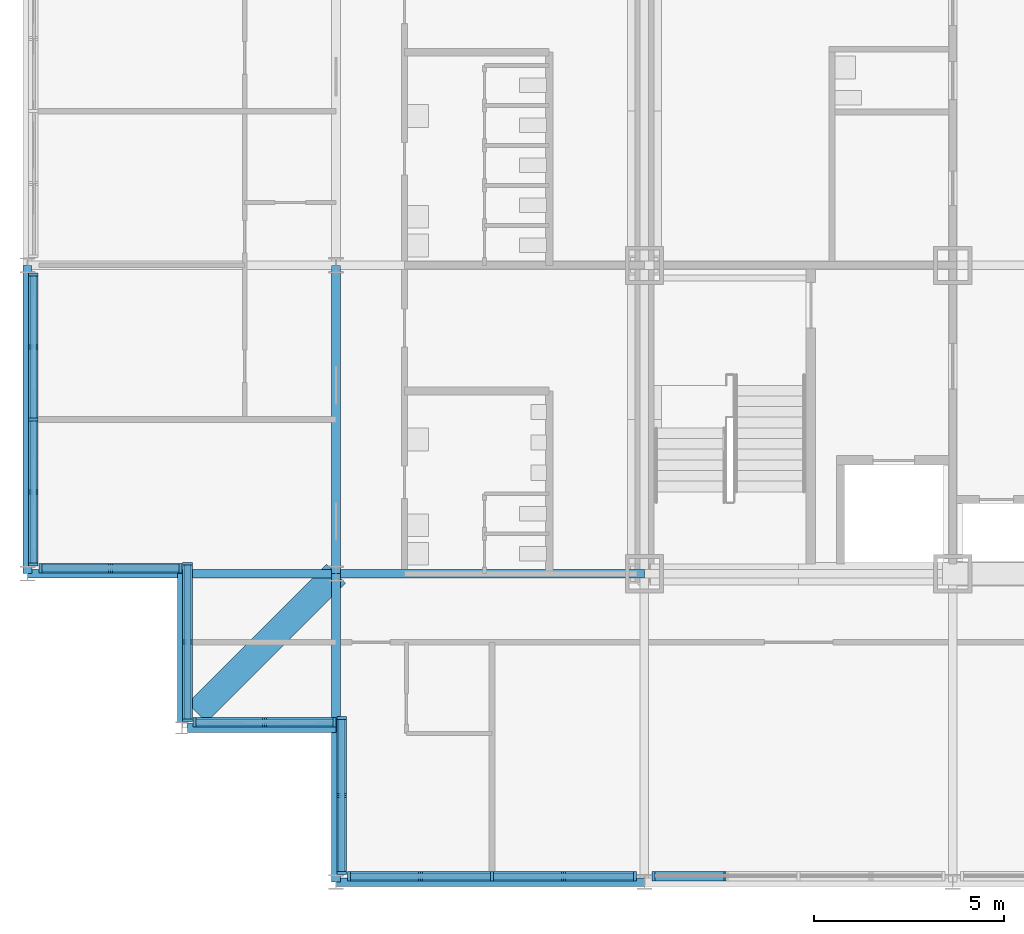
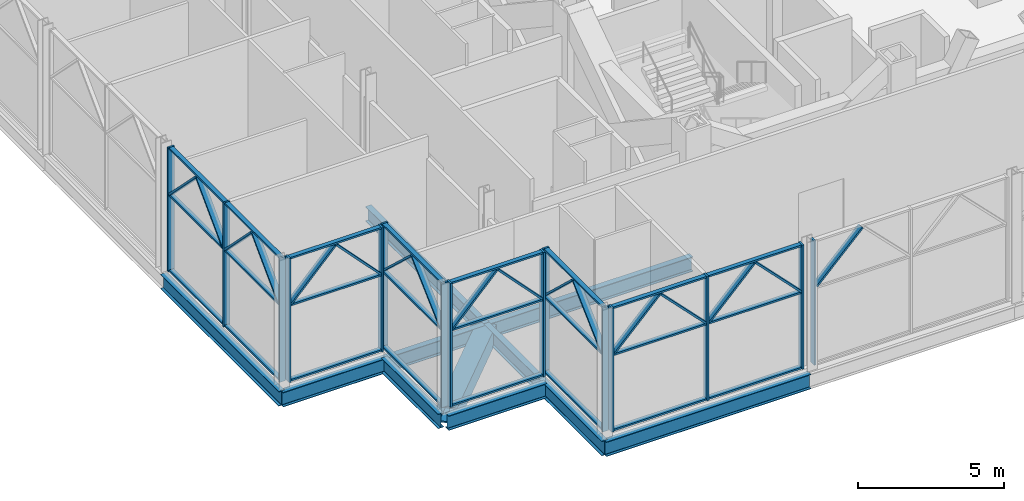
# One storey, part 5 of 26: 56 members, 9 beams, 7 elements without a shape of their own.
"""IFC4 building model written with IfcOpenShell, lengths in metres."""

from ifc_helpers import new_model, si_unit, direction, frame, origin, origin_2d, place, context, subcontext, project, spatial, rectangle, hollow_rectangle, i_section, extrude, material, material_profile, profile_set, type_object, element, aggregate, save


model = new_model("IFC4")

# Units and contexts
model_context = context("Model", 3, precision=1e-05, world=origin(), true_north=direction((0.0, 1.0)))
body_context = subcontext(model_context, "Body", "Model", "MODEL_VIEW")
ifc_project = project(units=[si_unit("LENGTHUNIT", "METRE"), si_unit("AREAUNIT", "SQUARE_METRE"), si_unit("VOLUMEUNIT", "CUBIC_METRE"), si_unit("PLANEANGLEUNIT", "RADIAN"), si_unit("MASSUNIT", "GRAM", prefix="KILO")], contexts=[model_context])

# Site, building, storey
site_placement = place(None, origin())
site = spatial("IfcSite", under=ifc_project, at=site_placement, CompositionType="ELEMENT")
building_placement = place(site_placement, origin())
building = spatial("IfcBuilding", under=site, at=building_placement, Name="Kopane Lantern Tower", CompositionType="ELEMENT")
storey_placement = place(building_placement, frame((0.0, 0.0, 293.10009765625)))
storey = spatial("IfcBuildingStorey", under=building, at=storey_placement, Name="L75", CompositionType="ELEMENT", Elevation=293.10009765625)

# Beams
ifc_material_1 = material(Name="Steel S355JR", Category="steel")
ifc_material_profile_1 = material_profile(ifc_material_1, hollow_rectangle(XDim=0.699951171875, YDim=0.699951171875, WallThickness=0.06005859375, at=origin_2d()), Name="BOX 700x700x60")
ifc_profile_set_1 = profile_set([ifc_material_profile_1], Name="Steel S355JR")
beam_type_1 = type_object("IfcBeamType", Name="CORNER TIE BEAM BOX 700x700x60", PredefinedType="BEAM", material=ifc_profile_set_1)
beam_1_placement = place(storey_placement, frame((4.447509765625, 20.6474609375, -0.56005859375), z_axis=(0.707106781187, 0.707106781187, 0.0), x_axis=(-0.707106781187, 0.707106781187, 0.0)))
element("IfcBeam", 1, at=beam_1_placement, inside=storey, type_object=beam_type_1, Name="Corner Tie Beam L75", PredefinedType="BEAM", context=body_context, shape_type="SweptSolid", body=[
    extrude(hollow_rectangle(XDim=0.699951171875, YDim=0.699951171875, WallThickness=0.06005859375, at=origin_2d()), origin(), (0.0, 0.0, 1.0), 5.16552734375),
])
ifc_material_2 = material(Name="Steel S355JR", Category="steel")
ifc_material_profile_2 = material_profile(ifc_material_2, i_section(OverallWidth=0.22900390625, OverallDepth=0.6123046875, WebThickness=0.011962890625, FlangeThickness=0.01953125, FilletRadius=0.0126953125, at=origin_2d()), Name="UB 610x229x125")
ifc_profile_set_2 = profile_set([ifc_material_profile_2], Name="Steel S355JR")
beam_type_2 = type_object("IfcBeamType", Name="EDGE BEAM UB 610x229x125", PredefinedType="BEAM", material=ifc_profile_set_2)
beam_2_placement = place(storey_placement, frame((4.050048828125, 20.40380859375, -0.51611328125), z_axis=(0.0, 1.0, 0.0), x_axis=(-1.0, 0.0, 0.0)))
element("IfcBeam", 2, at=beam_2_placement, inside=storey, type_object=beam_type_2, Name="Edge Beam L75", PredefinedType="BEAM", context=body_context, shape_type="SweptSolid", body=[
    extrude(i_section(OverallWidth=0.22900390625, OverallDepth=0.6123046875, WebThickness=0.011962890625, FlangeThickness=0.01953125, FilletRadius=0.0126953125, at=origin_2d()), origin(), (0.0, 0.0, 1.0), 3.896240234375),
])
beam_3_placement = place(storey_placement, frame((4.20361328125, 20.25, -0.51611328125), z_axis=(1.0, 0.0, 0.0), x_axis=(0.0, 1.0, 0.0)))
element("IfcBeam", 3, at=beam_3_placement, inside=storey, type_object=beam_type_2, Name="Edge Beam L75", PredefinedType="BEAM", context=body_context, shape_type="SweptSolid", body=[
    extrude(i_section(OverallWidth=0.22900390625, OverallDepth=0.6123046875, WebThickness=0.011962890625, FlangeThickness=0.01953125, FilletRadius=0.0126953125, at=origin_2d()), origin(), (0.0, 0.0, 1.0), 3.896484375),
])
ifc_material_3 = material(Name="Steel S355JR", Category="steel")
ifc_material_profile_3 = material_profile(ifc_material_3, i_section(OverallWidth=0.22900390625, OverallDepth=0.6123046875, WebThickness=0.011962890625, FlangeThickness=0.01953125, FilletRadius=0.0126953125, at=origin_2d()), Name="UB 610x229x125")
ifc_profile_set_3 = profile_set([ifc_material_profile_3], Name="Steel S355JR")
beam_type_3 = type_object("IfcBeamType", Name="GIRDER UB 610x229x125", PredefinedType="BEAM", material=ifc_profile_set_3)
beam_4_placement = place(storey_placement, frame((0.0, 24.300048828125, -0.51611328125), z_axis=(0.0, 1.0, 0.0), x_axis=(-1.0, 0.0, 0.0)))
element("IfcBeam", 4, at=beam_4_placement, inside=storey, type_object=beam_type_3, Name="Girder L75", PredefinedType="BEAM", context=body_context, shape_type="SweptSolid", body=[
    extrude(i_section(OverallWidth=0.22900390625, OverallDepth=0.6123046875, WebThickness=0.011962890625, FlangeThickness=0.01953125, FilletRadius=0.0126953125, at=origin_2d()), origin(), (0.0, 0.0, 1.0), 8.099853515625),
])
for number, where, z_axis, x_axis, name in (
    (5, (0.0, 24.300048828125, -0.51611328125), (1.0, 0.0, 0.0), (0.0, 1.0, 0.0), "Girder L75"),
    (6, (8.10009765625, 16.199951171875, -0.51611328125), (0.0, 1.0, 0.0), (-1.0, 0.0, 0.0), "Girder L75"),
):
    element("IfcBeam", number, at=place(storey_placement, frame(where, z_axis=z_axis, x_axis=x_axis)), inside=storey, type_object=beam_type_3, Name=name, PredefinedType="BEAM", context=body_context, shape_type="SweptSolid", body=[
        extrude(i_section(OverallWidth=0.22900390625, OverallDepth=0.6123046875, WebThickness=0.011962890625, FlangeThickness=0.01953125, FilletRadius=0.0126953125, at=origin_2d()), origin(), (0.0, 0.0, 1.0), 8.10009765625),
    ])
for number, where, z_axis, x_axis, name in (
    (7, (8.10009765625, 16.199951171875, -0.51611328125), (1.0, 0.0, 0.0), (0.0, 1.0, 0.0), "Girder L75"),
    (8, (8.10009765625, 24.300048828125, -0.51611328125), (0.0, 1.0, 0.0), (-1.0, 0.0, 0.0), "Girder L75"),
    (9, (8.10009765625, 24.300048828125, -0.51611328125), (1.0, 0.0, 0.0), (0.0, 1.0, 0.0), "Girder L75"),
):
    element("IfcBeam", number, at=place(storey_placement, frame(where, z_axis=z_axis, x_axis=x_axis)), inside=storey, type_object=beam_type_3, Name=name, PredefinedType="BEAM", context=body_context, shape_type="SweptSolid", body=[
        extrude(i_section(OverallWidth=0.22900390625, OverallDepth=0.6123046875, WebThickness=0.011962890625, FlangeThickness=0.01953125, FilletRadius=0.0126953125, at=origin_2d()), origin(), (0.0, 0.0, 1.0), 8.099853515625),
    ])

# Curtain wall, members
ifc_material_4 = material(Name="Aluminium and clear glass", Category="aluminium")
curtain_wall_type = type_object("IfcCurtainWallType", Name="CURTAIN WALL CW5 SKY RESTAURANT", PredefinedType="USERDEFINED", material=ifc_material_4)
curtain_wall_1_placement = place(storey_placement, origin())
curtain_wall_1 = element("IfcCurtainWall", 10, at=curtain_wall_1_placement, inside=storey, type_object=curtain_wall_type, Name="Curtain wall CW5 S L75", ObjectType="CURTAIN WALL", PredefinedType="USERDEFINED")
ifc_material_5 = material(Name="Aluminium", Category="aluminium")
ifc_material_profile_4 = material_profile(ifc_material_5, rectangle(XDim=0.074951171875, YDim=0.25, at=origin_2d()), Name="AL 75x250")
ifc_profile_set_4 = profile_set([ifc_material_profile_4], Name="Aluminium")
member_type_1 = type_object("IfcMemberType", Name="MULLION CW5-M 75x250", PredefinedType="MULLION", material=ifc_profile_set_4)
member_1_placement = place(storey_placement, frame((8.4375, 16.35009765625, 0.0), z_axis=(0.0, 0.0, 1.0), x_axis=(1.0, 0.0, 0.0)))
member_1 = element("IfcMember", 11, at=member_1_placement, type_object=member_type_1, Name="CW5 mullion 1", PredefinedType="MULLION", context=body_context, shape_type="SweptSolid", body=[
    extrude(rectangle(XDim=0.074951171875, YDim=0.25, at=origin_2d()), origin(), (0.0, 0.0, 1.0), 5.18994140625),
])
member_2_placement = place(storey_placement, frame((12.19775390625, 16.35009765625, 0.0), z_axis=(0.0, 0.0, 1.0), x_axis=(1.0, 0.0, 0.0)))
member_2 = element("IfcMember", 12, at=member_2_placement, type_object=member_type_1, Name="CW5 mullion 2", PredefinedType="MULLION", context=body_context, shape_type="SweptSolid", body=[
    extrude(rectangle(XDim=0.074951171875, YDim=0.25, at=origin_2d()), origin(), (0.0, 0.0, 1.0), 5.18994140625),
])
member_3_placement = place(storey_placement, frame((15.9580078125, 16.35009765625, 0.0), z_axis=(0.0, 0.0, 1.0), x_axis=(1.0, 0.0, 0.0)))
member_3 = element("IfcMember", 13, at=member_3_placement, type_object=member_type_1, Name="CW5 mullion 3", PredefinedType="MULLION", context=body_context, shape_type="SweptSolid", body=[
    extrude(rectangle(XDim=0.074951171875, YDim=0.25, at=origin_2d()), origin(), (0.0, 0.0, 1.0), 5.18994140625),
])
member_4_placement = place(storey_placement, frame((8.501953125, 16.35009765625, 3.253662109375), z_axis=(0.698046409092, 0.0, 0.716052519549), x_axis=(-0.716052519549, 0.0, 0.698046409092)))
member_4 = element("IfcMember", 14, at=member_4_placement, type_object=member_type_1, Name="CW5 lancet mullion 1L", PredefinedType="MULLION", context=body_context, shape_type="SweptSolid", body=[
    extrude(rectangle(XDim=0.074951171875, YDim=0.25, at=origin_2d()), origin(), (0.0, 0.0, 1.0), 2.5625),
])
member_5_placement = place(storey_placement, frame((12.13330078125, 16.35009765625, 3.253662109375), z_axis=(-0.698046409092, 0.0, 0.716052519549), x_axis=(0.716052519549, 0.0, 0.698046409092)))
member_5 = element("IfcMember", 15, at=member_5_placement, type_object=member_type_1, Name="CW5 lancet mullion 1R", PredefinedType="MULLION", context=body_context, shape_type="SweptSolid", body=[
    extrude(rectangle(XDim=0.074951171875, YDim=0.25, at=origin_2d()), origin(), (0.0, 0.0, 1.0), 2.5625),
])
member_6_placement = place(storey_placement, frame((12.26220703125, 16.35009765625, 3.253662109375), z_axis=(0.698046409092, 0.0, 0.716052519549), x_axis=(-0.716052519549, 0.0, 0.698046409092)))
member_6 = element("IfcMember", 16, at=member_6_placement, type_object=member_type_1, Name="CW5 lancet mullion 2L", PredefinedType="MULLION", context=body_context, shape_type="SweptSolid", body=[
    extrude(rectangle(XDim=0.074951171875, YDim=0.25, at=origin_2d()), origin(), (0.0, 0.0, 1.0), 2.5625),
])
member_7_placement = place(storey_placement, frame((15.8935546875, 16.35009765625, 3.253662109375), z_axis=(-0.698046409092, 0.0, 0.716052519549), x_axis=(0.716052519549, 0.0, 0.698046409092)))
member_7 = element("IfcMember", 17, at=member_7_placement, type_object=member_type_1, Name="CW5 lancet mullion 2R", PredefinedType="MULLION", context=body_context, shape_type="SweptSolid", body=[
    extrude(rectangle(XDim=0.074951171875, YDim=0.25, at=origin_2d()), origin(), (0.0, 0.0, 1.0), 2.5625),
])

curtain_wall_2_placement = place(storey_placement, origin())
curtain_wall_2 = element("IfcCurtainWall", 18, at=curtain_wall_2_placement, inside=storey, type_object=curtain_wall_type, Name="Curtain wall CW5 S L75", ObjectType="CURTAIN WALL", PredefinedType="USERDEFINED")
member_8_placement = place(storey_placement, frame((16.44189453125, 16.35009765625, 0.0), z_axis=(0.0, 0.0, 1.0), x_axis=(1.0, 0.0, 0.0)))
member_8 = element("IfcMember", 19, at=member_8_placement, type_object=member_type_1, Name="CW5 mullion 1", PredefinedType="MULLION", context=body_context, shape_type="SweptSolid", body=[
    extrude(rectangle(XDim=0.074951171875, YDim=0.25, at=origin_2d()), origin(), (0.0, 0.0, 1.0), 5.18994140625),
])
member_9_placement = place(storey_placement, frame((16.506103515625, 16.35009765625, 3.25390625), z_axis=(0.702930128182, 0.0, 0.711258908481), x_axis=(-0.711258908481, 0.0, 0.702930128182)))
member_9 = element("IfcMember", 20, at=member_9_placement, type_object=member_type_1, Name="CW5 lancet mullion 1L", PredefinedType="MULLION", context=body_context, shape_type="SweptSolid", body=[
    extrude(rectangle(XDim=0.074951171875, YDim=0.25, at=origin_2d()), origin(), (0.0, 0.0, 1.0), 2.57958984375),
])
aggregate(curtain_wall_2, [member_8, member_9])

curtain_wall_3_placement = place(storey_placement, origin())
curtain_wall_3 = element("IfcCurtainWall", 21, at=curtain_wall_3_placement, inside=storey, type_object=curtain_wall_type, Name="Curtain wall CW5 W L75", ObjectType="CURTAIN WALL", PredefinedType="USERDEFINED")
member_10_placement = place(storey_placement, frame((0.14990234375, 32.16064453125, 0.0), z_axis=(0.0, 0.0, 1.0), x_axis=(0.0, -1.0, 0.0)))
member_10 = element("IfcMember", 22, at=member_10_placement, type_object=member_type_1, Name="CW5 mullion 1", PredefinedType="MULLION", context=body_context, shape_type="SweptSolid", body=[
    extrude(rectangle(XDim=0.074951171875, YDim=0.25, at=origin_2d()), origin(), (0.0, 0.0, 1.0), 5.18994140625),
])
member_11_placement = place(storey_placement, frame((0.14990234375, 28.35009765625, 0.0), z_axis=(0.0, 0.0, 1.0), x_axis=(0.0, -1.0, 0.0)))
member_11 = element("IfcMember", 23, at=member_11_placement, type_object=member_type_1, Name="CW5 mullion 2", PredefinedType="MULLION", context=body_context, shape_type="SweptSolid", body=[
    extrude(rectangle(XDim=0.074951171875, YDim=0.25, at=origin_2d()), origin(), (0.0, 0.0, 1.0), 5.18994140625),
])
member_12_placement = place(storey_placement, frame((0.14990234375, 24.539306640625, 0.0), z_axis=(0.0, 0.0, 1.0), x_axis=(0.0, -1.0, 0.0)))
member_12 = element("IfcMember", 24, at=member_12_placement, type_object=member_type_1, Name="CW5 mullion 3", PredefinedType="MULLION", context=body_context, shape_type="SweptSolid", body=[
    extrude(rectangle(XDim=0.074951171875, YDim=0.25, at=origin_2d()), origin(), (0.0, 0.0, 1.0), 5.18994140625),
])
member_13_placement = place(storey_placement, frame((0.14990234375, 32.096435546875, 3.25390625), z_axis=(0.0, -0.703169408785, 0.711022350245), x_axis=(0.0, 0.711022350245, 0.703169408785)))
member_13 = element("IfcMember", 25, at=member_13_placement, type_object=member_type_1, Name="CW5 lancet mullion 1L", PredefinedType="MULLION", context=body_context, shape_type="SweptSolid", body=[
    extrude(rectangle(XDim=0.074951171875, YDim=0.25, at=origin_2d()), origin(), (0.0, 0.0, 1.0), 2.580322265625),
])
member_14_placement = place(storey_placement, frame((0.14990234375, 28.414306640625, 3.25390625), z_axis=(0.0, 0.703169408785, 0.711022350245), x_axis=(0.0, -0.711022350245, 0.703169408785)))
member_14 = element("IfcMember", 26, at=member_14_placement, type_object=member_type_1, Name="CW5 lancet mullion 1R", PredefinedType="MULLION", context=body_context, shape_type="SweptSolid", body=[
    extrude(rectangle(XDim=0.074951171875, YDim=0.25, at=origin_2d()), origin(), (0.0, 0.0, 1.0), 2.580322265625),
])
member_15_placement = place(storey_placement, frame((0.14990234375, 28.285888671875, 3.25390625), z_axis=(0.0, -0.703217236258, 0.710975047825), x_axis=(0.0, 0.710975047825, 0.703217236258)))
member_15 = element("IfcMember", 27, at=member_15_placement, type_object=member_type_1, Name="CW5 lancet mullion 2L", PredefinedType="MULLION", context=body_context, shape_type="SweptSolid", body=[
    extrude(rectangle(XDim=0.074951171875, YDim=0.25, at=origin_2d()), origin(), (0.0, 0.0, 1.0), 2.58056640625),
])
member_16_placement = place(storey_placement, frame((0.14990234375, 24.603515625, 3.25390625), z_axis=(0.0, 0.703169408785, 0.711022350245), x_axis=(0.0, -0.711022350245, 0.703169408785)))
member_16 = element("IfcMember", 28, at=member_16_placement, type_object=member_type_1, Name="CW5 lancet mullion 2R", PredefinedType="MULLION", context=body_context, shape_type="SweptSolid", body=[
    extrude(rectangle(XDim=0.074951171875, YDim=0.25, at=origin_2d()), origin(), (0.0, 0.0, 1.0), 2.580322265625),
])

curtain_wall_4_placement = place(storey_placement, origin())
curtain_wall_4 = element("IfcCurtainWall", 29, at=curtain_wall_4_placement, inside=storey, type_object=curtain_wall_type, Name="Curtain wall CW5 S L75", ObjectType="CURTAIN WALL", PredefinedType="USERDEFINED")
member_17_placement = place(storey_placement, frame((0.33740234375, 24.449951171875, 0.0), z_axis=(0.0, 0.0, 1.0), x_axis=(1.0, 0.0, 0.0)))
member_17 = element("IfcMember", 30, at=member_17_placement, type_object=member_type_1, Name="CW5 mullion 1", PredefinedType="MULLION", context=body_context, shape_type="SweptSolid", body=[
    extrude(rectangle(XDim=0.074951171875, YDim=0.25, at=origin_2d()), origin(), (0.0, 0.0, 1.0), 5.18994140625),
])
member_18_placement = place(storey_placement, frame((4.012451171875, 24.449951171875, 0.0), z_axis=(0.0, 0.0, 1.0), x_axis=(1.0, 0.0, 0.0)))
member_18 = element("IfcMember", 31, at=member_18_placement, type_object=member_type_1, Name="CW5 mullion 2", PredefinedType="MULLION", context=body_context, shape_type="SweptSolid", body=[
    extrude(rectangle(XDim=0.074951171875, YDim=0.25, at=origin_2d()), origin(), (0.0, 0.0, 1.0), 5.18994140625),
])
member_19_placement = place(storey_placement, frame((0.402099609375, 24.449951171875, 3.253173828125), z_axis=(0.689053331261, 0.0, 0.724710636515), x_axis=(-0.724710636515, 0.0, 0.689053331261)))
member_19 = element("IfcMember", 32, at=member_19_placement, type_object=member_type_1, Name="CW5 lancet mullion 1L", PredefinedType="MULLION", context=body_context, shape_type="SweptSolid", body=[
    extrude(rectangle(XDim=0.074951171875, YDim=0.25, at=origin_2d()), origin(), (0.0, 0.0, 1.0), 2.533447265625),
])
member_20_placement = place(storey_placement, frame((3.94775390625, 24.449951171875, 3.253173828125), z_axis=(-0.689053331261, 0.0, 0.724710636515), x_axis=(0.724710636515, 0.0, 0.689053331261)))
member_20 = element("IfcMember", 33, at=member_20_placement, type_object=member_type_1, Name="CW5 lancet mullion 1R", PredefinedType="MULLION", context=body_context, shape_type="SweptSolid", body=[
    extrude(rectangle(XDim=0.074951171875, YDim=0.25, at=origin_2d()), origin(), (0.0, 0.0, 1.0), 2.533447265625),
])

curtain_wall_5_placement = place(storey_placement, origin())
curtain_wall_5 = element("IfcCurtainWall", 34, at=curtain_wall_5_placement, inside=storey, type_object=curtain_wall_type, Name="Curtain wall CW5 W L75", ObjectType="CURTAIN WALL", PredefinedType="USERDEFINED")
member_21_placement = place(storey_placement, frame((4.199951171875, 24.5625, 0.0), z_axis=(0.0, 0.0, 1.0), x_axis=(0.0, -1.0, 0.0)))
member_21 = element("IfcMember", 35, at=member_21_placement, type_object=member_type_1, Name="CW5 mullion 1", PredefinedType="MULLION", context=body_context, shape_type="SweptSolid", body=[
    extrude(rectangle(XDim=0.074951171875, YDim=0.25, at=origin_2d()), origin(), (0.0, 0.0, 1.0), 5.18994140625),
])
member_22_placement = place(storey_placement, frame((4.199951171875, 20.44970703125, 0.0), z_axis=(0.0, 0.0, 1.0), x_axis=(0.0, -1.0, 0.0)))
member_22 = element("IfcMember", 36, at=member_22_placement, type_object=member_type_1, Name="CW5 mullion 2", PredefinedType="MULLION", context=body_context, shape_type="SweptSolid", body=[
    extrude(rectangle(XDim=0.074951171875, YDim=0.25, at=origin_2d()), origin(), (0.0, 0.0, 1.0), 5.18994140625),
])
member_23_placement = place(storey_placement, frame((4.199951171875, 24.49951171875, 3.2548828125), z_axis=(0.0, -0.731809650699, 0.681509086619), x_axis=(0.0, 0.681509086619, 0.731809650699)))
member_23 = element("IfcMember", 37, at=member_23_placement, type_object=member_type_1, Name="CW5 lancet mullion 1L", PredefinedType="MULLION", context=body_context, shape_type="SweptSolid", body=[
    extrude(rectangle(XDim=0.074951171875, YDim=0.25, at=origin_2d()), origin(), (0.0, 0.0, 1.0), 2.68896484375),
])
member_24_placement = place(storey_placement, frame((4.199951171875, 20.512939453125, 3.2548828125), z_axis=(0.0, 0.731809650699, 0.681509086619), x_axis=(0.0, -0.681509086619, 0.731809650699)))
member_24 = element("IfcMember", 38, at=member_24_placement, type_object=member_type_1, Name="CW5 lancet mullion 1R", PredefinedType="MULLION", context=body_context, shape_type="SweptSolid", body=[
    extrude(rectangle(XDim=0.074951171875, YDim=0.25, at=origin_2d()), origin(), (0.0, 0.0, 1.0), 2.68896484375),
])

curtain_wall_6_placement = place(storey_placement, origin())
curtain_wall_6 = element("IfcCurtainWall", 39, at=curtain_wall_6_placement, inside=storey, type_object=curtain_wall_type, Name="Curtain wall CW5 S L75", ObjectType="CURTAIN WALL", PredefinedType="USERDEFINED")
member_25_placement = place(storey_placement, frame((4.387451171875, 20.39990234375, 0.0), z_axis=(0.0, 0.0, 1.0), x_axis=(1.0, 0.0, 0.0)))
member_25 = element("IfcMember", 40, at=member_25_placement, type_object=member_type_1, Name="CW5 mullion 1", PredefinedType="MULLION", context=body_context, shape_type="SweptSolid", body=[
    extrude(rectangle(XDim=0.074951171875, YDim=0.25, at=origin_2d()), origin(), (0.0, 0.0, 1.0), 5.18994140625),
])
member_26_placement = place(storey_placement, frame((8.0625, 20.39990234375, 0.0), z_axis=(0.0, 0.0, 1.0), x_axis=(1.0, 0.0, 0.0)))
member_26 = element("IfcMember", 41, at=member_26_placement, type_object=member_type_1, Name="CW5 mullion 2", PredefinedType="MULLION", context=body_context, shape_type="SweptSolid", body=[
    extrude(rectangle(XDim=0.074951171875, YDim=0.25, at=origin_2d()), origin(), (0.0, 0.0, 1.0), 5.18994140625),
])
member_27_placement = place(storey_placement, frame((4.4521484375, 20.39990234375, 3.253173828125), z_axis=(0.689053331261, 0.0, 0.724710636515), x_axis=(-0.724710636515, 0.0, 0.689053331261)))
member_27 = element("IfcMember", 42, at=member_27_placement, type_object=member_type_1, Name="CW5 lancet mullion 1L", PredefinedType="MULLION", context=body_context, shape_type="SweptSolid", body=[
    extrude(rectangle(XDim=0.074951171875, YDim=0.25, at=origin_2d()), origin(), (0.0, 0.0, 1.0), 2.533447265625),
])
member_28_placement = place(storey_placement, frame((7.997802734375, 20.39990234375, 3.253173828125), z_axis=(-0.689053331261, 0.0, 0.724710636515), x_axis=(0.724710636515, 0.0, 0.689053331261)))
member_28 = element("IfcMember", 43, at=member_28_placement, type_object=member_type_1, Name="CW5 lancet mullion 1R", PredefinedType="MULLION", context=body_context, shape_type="SweptSolid", body=[
    extrude(rectangle(XDim=0.074951171875, YDim=0.25, at=origin_2d()), origin(), (0.0, 0.0, 1.0), 2.533447265625),
])

curtain_wall_7_placement = place(storey_placement, origin())
curtain_wall_7 = element("IfcCurtainWall", 44, at=curtain_wall_7_placement, inside=storey, type_object=curtain_wall_type, Name="Curtain wall CW5 W L75", ObjectType="CURTAIN WALL", PredefinedType="USERDEFINED")
member_29_placement = place(storey_placement, frame((8.25, 20.512451171875, 0.0), z_axis=(0.0, 0.0, 1.0), x_axis=(0.0, -1.0, 0.0)))
member_29 = element("IfcMember", 45, at=member_29_placement, type_object=member_type_1, Name="CW5 mullion 1", PredefinedType="MULLION", context=body_context, shape_type="SweptSolid", body=[
    extrude(rectangle(XDim=0.074951171875, YDim=0.25, at=origin_2d()), origin(), (0.0, 0.0, 1.0), 5.18994140625),
])
member_30_placement = place(storey_placement, frame((8.25, 16.439208984375, 0.0), z_axis=(0.0, 0.0, 1.0), x_axis=(0.0, -1.0, 0.0)))
member_30 = element("IfcMember", 46, at=member_30_placement, type_object=member_type_1, Name="CW5 mullion 2", PredefinedType="MULLION", context=body_context, shape_type="SweptSolid", body=[
    extrude(rectangle(XDim=0.074951171875, YDim=0.25, at=origin_2d()), origin(), (0.0, 0.0, 1.0), 5.18994140625),
])
member_31_placement = place(storey_placement, frame((8.25, 20.44921875, 3.254638671875), z_axis=(0.0, -0.728189272767, 0.685376088747), x_axis=(0.0, 0.685376088747, 0.728189272767)))
member_31 = element("IfcMember", 47, at=member_31_placement, type_object=member_type_1, Name="CW5 lancet mullion 1L", PredefinedType="MULLION", context=body_context, shape_type="SweptSolid", body=[
    extrude(rectangle(XDim=0.074951171875, YDim=0.25, at=origin_2d()), origin(), (0.0, 0.0, 1.0), 2.674560546875),
])
member_32_placement = place(storey_placement, frame((8.25, 16.50244140625, 3.254638671875), z_axis=(0.0, 0.728232149263, 0.685330531043), x_axis=(0.0, -0.685330531043, 0.728232149263)))
member_32 = element("IfcMember", 48, at=member_32_placement, type_object=member_type_1, Name="CW5 lancet mullion 1R", PredefinedType="MULLION", context=body_context, shape_type="SweptSolid", body=[
    extrude(rectangle(XDim=0.074951171875, YDim=0.25, at=origin_2d()), origin(), (0.0, 0.0, 1.0), 2.674560546875),
])

# Member
ifc_material_6 = material(Name="Aluminium", Category="aluminium")
ifc_material_profile_5 = material_profile(ifc_material_6, rectangle(XDim=0.175048828125, YDim=0.074951171875, at=origin_2d()), Name="AL 175x75")
ifc_profile_set_5 = profile_set([ifc_material_profile_5], Name="Aluminium")
member_type_2 = type_object("IfcMemberType", Name="TRANSOM CW5-T 75x175", PredefinedType="USERDEFINED", material=ifc_profile_set_5)
member_33_placement = place(storey_placement, frame((8.47509765625, 16.35009765625, 0.037353515625), z_axis=(1.0, 0.0, 0.0), x_axis=(0.0, 1.0, 0.0)))
member_33 = element("IfcMember", 49, at=member_33_placement, type_object=member_type_2, Name="CW5 transom 1.1", ObjectType="TRANSOM", PredefinedType="USERDEFINED", context=body_context, shape_type="SweptSolid", body=[
    extrude(rectangle(XDim=0.175048828125, YDim=0.074951171875, at=origin_2d()), origin(), (0.0, 0.0, 1.0), 3.68505859375),
])

member_34_placement = place(storey_placement, frame((8.47509765625, 16.35009765625, 3.18994140625), z_axis=(1.0, 0.0, 0.0), x_axis=(0.0, 1.0, 0.0)))
member_34 = element("IfcMember", 50, at=member_34_placement, type_object=member_type_2, Name="CW5 transom 1.2", ObjectType="TRANSOM", PredefinedType="USERDEFINED", context=body_context, shape_type="SweptSolid", body=[
    extrude(rectangle(XDim=0.175048828125, YDim=0.074951171875, at=origin_2d()), origin(), (0.0, 0.0, 1.0), 3.68505859375),
])

member_35_placement = place(storey_placement, frame((8.47509765625, 16.35009765625, 5.15234375), z_axis=(1.0, 0.0, 0.0), x_axis=(0.0, 1.0, 0.0)))
member_35 = element("IfcMember", 51, at=member_35_placement, type_object=member_type_2, Name="CW5 transom 1.3", ObjectType="TRANSOM", PredefinedType="USERDEFINED", context=body_context, shape_type="SweptSolid", body=[
    extrude(rectangle(XDim=0.175048828125, YDim=0.074951171875, at=origin_2d()), origin(), (0.0, 0.0, 1.0), 3.68505859375),
])

member_36_placement = place(storey_placement, frame((12.2353515625, 16.35009765625, 0.037353515625), z_axis=(1.0, 0.0, 0.0), x_axis=(0.0, 1.0, 0.0)))
member_36 = element("IfcMember", 52, at=member_36_placement, type_object=member_type_2, Name="CW5 transom 2.1", ObjectType="TRANSOM", PredefinedType="USERDEFINED", context=body_context, shape_type="SweptSolid", body=[
    extrude(rectangle(XDim=0.175048828125, YDim=0.074951171875, at=origin_2d()), origin(), (0.0, 0.0, 1.0), 3.68505859375),
])

member_37_placement = place(storey_placement, frame((12.2353515625, 16.35009765625, 3.18994140625), z_axis=(1.0, 0.0, 0.0), x_axis=(0.0, 1.0, 0.0)))
member_37 = element("IfcMember", 53, at=member_37_placement, type_object=member_type_2, Name="CW5 transom 2.2", ObjectType="TRANSOM", PredefinedType="USERDEFINED", context=body_context, shape_type="SweptSolid", body=[
    extrude(rectangle(XDim=0.175048828125, YDim=0.074951171875, at=origin_2d()), origin(), (0.0, 0.0, 1.0), 3.68505859375),
])

member_38_placement = place(storey_placement, frame((12.2353515625, 16.35009765625, 5.15234375), z_axis=(1.0, 0.0, 0.0), x_axis=(0.0, 1.0, 0.0)))
member_38 = element("IfcMember", 54, at=member_38_placement, type_object=member_type_2, Name="CW5 transom 2.3", ObjectType="TRANSOM", PredefinedType="USERDEFINED", context=body_context, shape_type="SweptSolid", body=[
    extrude(rectangle(XDim=0.175048828125, YDim=0.074951171875, at=origin_2d()), origin(), (0.0, 0.0, 1.0), 3.68505859375),
])

aggregate(curtain_wall_1, [member_1, member_2, member_3, member_33, member_34, member_35, member_36, member_37, member_38, member_4, member_5, member_6, member_7])

member_39_placement = place(storey_placement, frame((0.14990234375, 32.123291015625, 0.037353515625), z_axis=(0.0, -1.0, 0.0), x_axis=(1.0, 0.0, 0.0)))
member_39 = element("IfcMember", 55, at=member_39_placement, type_object=member_type_2, Name="CW5 transom 1.1", ObjectType="TRANSOM", PredefinedType="USERDEFINED", context=body_context, shape_type="SweptSolid", body=[
    extrude(rectangle(XDim=0.175048828125, YDim=0.074951171875, at=origin_2d()), origin(), (0.0, 0.0, 1.0), 3.73583984375),
])

member_40_placement = place(storey_placement, frame((0.14990234375, 32.123291015625, 3.18994140625), z_axis=(0.0, -1.0, 0.0), x_axis=(1.0, 0.0, 0.0)))
member_40 = element("IfcMember", 56, at=member_40_placement, type_object=member_type_2, Name="CW5 transom 1.2", ObjectType="TRANSOM", PredefinedType="USERDEFINED", context=body_context, shape_type="SweptSolid", body=[
    extrude(rectangle(XDim=0.175048828125, YDim=0.074951171875, at=origin_2d()), origin(), (0.0, 0.0, 1.0), 3.73583984375),
])

member_41_placement = place(storey_placement, frame((0.14990234375, 32.123291015625, 5.15234375), z_axis=(0.0, -1.0, 0.0), x_axis=(1.0, 0.0, 0.0)))
member_41 = element("IfcMember", 57, at=member_41_placement, type_object=member_type_2, Name="CW5 transom 1.3", ObjectType="TRANSOM", PredefinedType="USERDEFINED", context=body_context, shape_type="SweptSolid", body=[
    extrude(rectangle(XDim=0.175048828125, YDim=0.074951171875, at=origin_2d()), origin(), (0.0, 0.0, 1.0), 3.73583984375),
])

member_42_placement = place(storey_placement, frame((0.14990234375, 28.3125, 0.037353515625), z_axis=(0.0, -1.0, 0.0), x_axis=(1.0, 0.0, 0.0)))
member_42 = element("IfcMember", 58, at=member_42_placement, type_object=member_type_2, Name="CW5 transom 2.1", ObjectType="TRANSOM", PredefinedType="USERDEFINED", context=body_context, shape_type="SweptSolid", body=[
    extrude(rectangle(XDim=0.175048828125, YDim=0.074951171875, at=origin_2d()), origin(), (0.0, 0.0, 1.0), 3.735595703125),
])

member_43_placement = place(storey_placement, frame((0.14990234375, 28.3125, 3.18994140625), z_axis=(0.0, -1.0, 0.0), x_axis=(1.0, 0.0, 0.0)))
member_43 = element("IfcMember", 59, at=member_43_placement, type_object=member_type_2, Name="CW5 transom 2.2", ObjectType="TRANSOM", PredefinedType="USERDEFINED", context=body_context, shape_type="SweptSolid", body=[
    extrude(rectangle(XDim=0.175048828125, YDim=0.074951171875, at=origin_2d()), origin(), (0.0, 0.0, 1.0), 3.735595703125),
])

member_44_placement = place(storey_placement, frame((0.14990234375, 28.3125, 5.15234375), z_axis=(0.0, -1.0, 0.0), x_axis=(1.0, 0.0, 0.0)))
member_44 = element("IfcMember", 60, at=member_44_placement, type_object=member_type_2, Name="CW5 transom 2.3", ObjectType="TRANSOM", PredefinedType="USERDEFINED", context=body_context, shape_type="SweptSolid", body=[
    extrude(rectangle(XDim=0.175048828125, YDim=0.074951171875, at=origin_2d()), origin(), (0.0, 0.0, 1.0), 3.735595703125),
])

aggregate(curtain_wall_3, [member_10, member_11, member_12, member_39, member_40, member_41, member_42, member_43, member_44, member_13, member_14, member_15, member_16])

member_45_placement = place(storey_placement, frame((0.375, 24.449951171875, 0.037353515625), z_axis=(1.0, 0.0, 0.0), x_axis=(0.0, 1.0, 0.0)))
member_45 = element("IfcMember", 61, at=member_45_placement, type_object=member_type_2, Name="CW5 transom 1.1", ObjectType="TRANSOM", PredefinedType="USERDEFINED", context=body_context, shape_type="SweptSolid", body=[
    extrude(rectangle(XDim=0.175048828125, YDim=0.074951171875, at=origin_2d()), origin(), (0.0, 0.0, 1.0), 3.60009765625),
])

member_46_placement = place(storey_placement, frame((0.375, 24.449951171875, 3.18994140625), z_axis=(1.0, 0.0, 0.0), x_axis=(0.0, 1.0, 0.0)))
member_46 = element("IfcMember", 62, at=member_46_placement, type_object=member_type_2, Name="CW5 transom 1.2", ObjectType="TRANSOM", PredefinedType="USERDEFINED", context=body_context, shape_type="SweptSolid", body=[
    extrude(rectangle(XDim=0.175048828125, YDim=0.074951171875, at=origin_2d()), origin(), (0.0, 0.0, 1.0), 3.60009765625),
])

member_47_placement = place(storey_placement, frame((0.375, 24.449951171875, 5.15234375), z_axis=(1.0, 0.0, 0.0), x_axis=(0.0, 1.0, 0.0)))
member_47 = element("IfcMember", 63, at=member_47_placement, type_object=member_type_2, Name="CW5 transom 1.3", ObjectType="TRANSOM", PredefinedType="USERDEFINED", context=body_context, shape_type="SweptSolid", body=[
    extrude(rectangle(XDim=0.175048828125, YDim=0.074951171875, at=origin_2d()), origin(), (0.0, 0.0, 1.0), 3.60009765625),
])

aggregate(curtain_wall_4, [member_17, member_18, member_45, member_46, member_47, member_19, member_20])

member_48_placement = place(storey_placement, frame((4.199951171875, 24.52490234375, 0.037353515625), z_axis=(0.0, -1.0, 0.0), x_axis=(1.0, 0.0, 0.0)))
member_48 = element("IfcMember", 64, at=member_48_placement, type_object=member_type_2, Name="CW5 transom 1.1", ObjectType="TRANSOM", PredefinedType="USERDEFINED", context=body_context, shape_type="SweptSolid", body=[
    extrude(rectangle(XDim=0.175048828125, YDim=0.074951171875, at=origin_2d()), origin(), (0.0, 0.0, 1.0), 4.03759765625),
])

member_49_placement = place(storey_placement, frame((4.199951171875, 24.52490234375, 3.18994140625), z_axis=(0.0, -1.0, 0.0), x_axis=(1.0, 0.0, 0.0)))
member_49 = element("IfcMember", 65, at=member_49_placement, type_object=member_type_2, Name="CW5 transom 1.2", ObjectType="TRANSOM", PredefinedType="USERDEFINED", context=body_context, shape_type="SweptSolid", body=[
    extrude(rectangle(XDim=0.175048828125, YDim=0.074951171875, at=origin_2d()), origin(), (0.0, 0.0, 1.0), 4.03759765625),
])

member_50_placement = place(storey_placement, frame((4.199951171875, 24.52490234375, 5.15234375), z_axis=(0.0, -1.0, 0.0), x_axis=(1.0, 0.0, 0.0)))
member_50 = element("IfcMember", 66, at=member_50_placement, type_object=member_type_2, Name="CW5 transom 1.3", ObjectType="TRANSOM", PredefinedType="USERDEFINED", context=body_context, shape_type="SweptSolid", body=[
    extrude(rectangle(XDim=0.175048828125, YDim=0.074951171875, at=origin_2d()), origin(), (0.0, 0.0, 1.0), 4.03759765625),
])

aggregate(curtain_wall_5, [member_21, member_22, member_48, member_49, member_50, member_23, member_24])

member_51_placement = place(storey_placement, frame((4.425048828125, 20.39990234375, 0.037353515625), z_axis=(1.0, 0.0, 0.0), x_axis=(0.0, 1.0, 0.0)))
member_51 = element("IfcMember", 67, at=member_51_placement, type_object=member_type_2, Name="CW5 transom 1.1", ObjectType="TRANSOM", PredefinedType="USERDEFINED", context=body_context, shape_type="SweptSolid", body=[
    extrude(rectangle(XDim=0.175048828125, YDim=0.074951171875, at=origin_2d()), origin(), (0.0, 0.0, 1.0), 3.599853515625),
])

member_52_placement = place(storey_placement, frame((4.425048828125, 20.39990234375, 3.18994140625), z_axis=(1.0, 0.0, 0.0), x_axis=(0.0, 1.0, 0.0)))
member_52 = element("IfcMember", 68, at=member_52_placement, type_object=member_type_2, Name="CW5 transom 1.2", ObjectType="TRANSOM", PredefinedType="USERDEFINED", context=body_context, shape_type="SweptSolid", body=[
    extrude(rectangle(XDim=0.175048828125, YDim=0.074951171875, at=origin_2d()), origin(), (0.0, 0.0, 1.0), 3.599853515625),
])

member_53_placement = place(storey_placement, frame((4.425048828125, 20.39990234375, 5.15234375), z_axis=(1.0, 0.0, 0.0), x_axis=(0.0, 1.0, 0.0)))
member_53 = element("IfcMember", 69, at=member_53_placement, type_object=member_type_2, Name="CW5 transom 1.3", ObjectType="TRANSOM", PredefinedType="USERDEFINED", context=body_context, shape_type="SweptSolid", body=[
    extrude(rectangle(XDim=0.175048828125, YDim=0.074951171875, at=origin_2d()), origin(), (0.0, 0.0, 1.0), 3.599853515625),
])

aggregate(curtain_wall_6, [member_25, member_26, member_51, member_52, member_53, member_27, member_28])

member_54_placement = place(storey_placement, frame((8.25, 20.47509765625, 0.037353515625), z_axis=(0.0, -1.0, 0.0), x_axis=(1.0, 0.0, 0.0)))
member_54 = element("IfcMember", 70, at=member_54_placement, type_object=member_type_2, Name="CW5 transom 1.1", ObjectType="TRANSOM", PredefinedType="USERDEFINED", context=body_context, shape_type="SweptSolid", body=[
    extrude(rectangle(XDim=0.175048828125, YDim=0.074951171875, at=origin_2d()), origin(), (0.0, 0.0, 1.0), 3.998291015625),
])

member_55_placement = place(storey_placement, frame((8.25, 20.47509765625, 3.18994140625), z_axis=(0.0, -1.0, 0.0), x_axis=(1.0, 0.0, 0.0)))
member_55 = element("IfcMember", 71, at=member_55_placement, type_object=member_type_2, Name="CW5 transom 1.2", ObjectType="TRANSOM", PredefinedType="USERDEFINED", context=body_context, shape_type="SweptSolid", body=[
    extrude(rectangle(XDim=0.175048828125, YDim=0.074951171875, at=origin_2d()), origin(), (0.0, 0.0, 1.0), 3.998291015625),
])

member_56_placement = place(storey_placement, frame((8.25, 20.47509765625, 5.15234375), z_axis=(0.0, -1.0, 0.0), x_axis=(1.0, 0.0, 0.0)))
member_56 = element("IfcMember", 72, at=member_56_placement, type_object=member_type_2, Name="CW5 transom 1.3", ObjectType="TRANSOM", PredefinedType="USERDEFINED", context=body_context, shape_type="SweptSolid", body=[
    extrude(rectangle(XDim=0.175048828125, YDim=0.074951171875, at=origin_2d()), origin(), (0.0, 0.0, 1.0), 3.998291015625),
])

aggregate(curtain_wall_7, [member_29, member_30, member_54, member_55, member_56, member_31, member_32])

save(model, "model.ifc")
